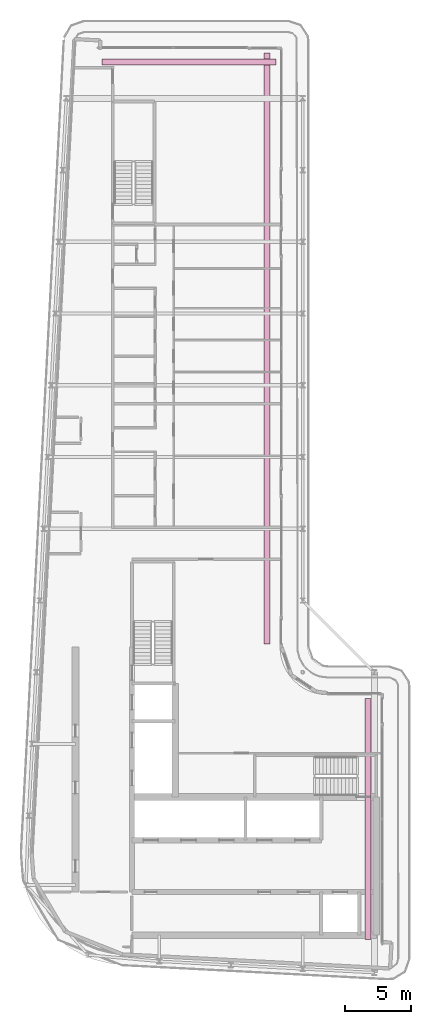
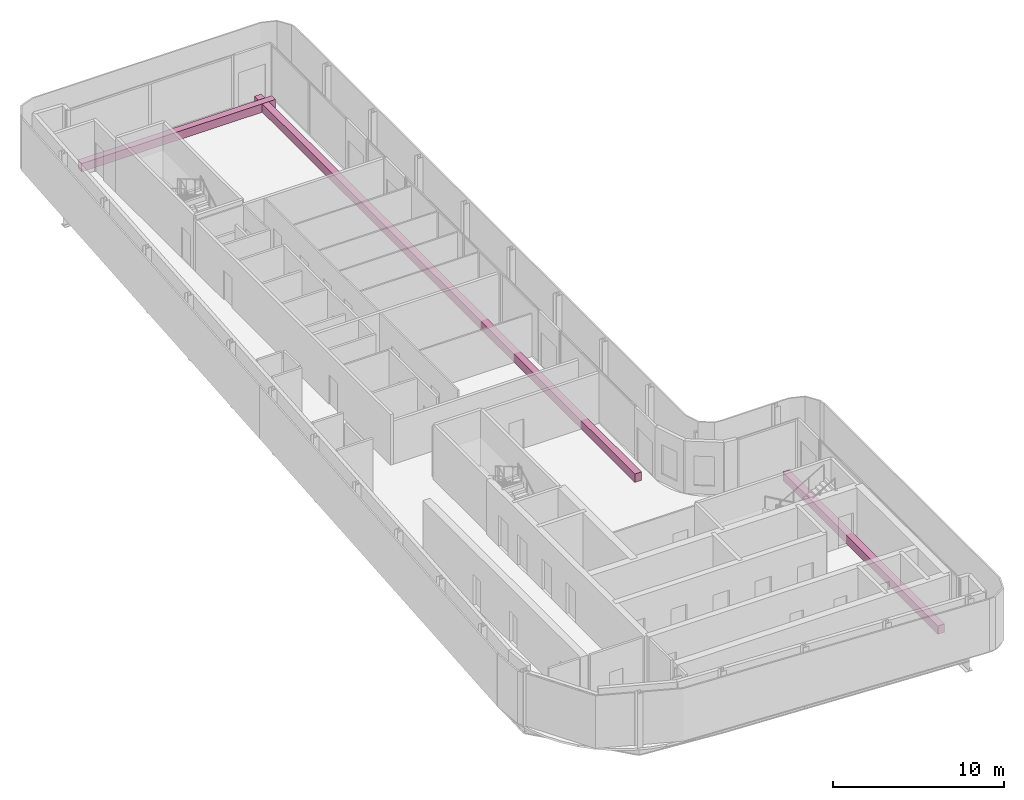
# One storey, part 19 of 19: 3 furniture elements.
"""IFC4 building model written with IfcOpenShell, lengths in metres."""

import ifcopenshell
import ifcopenshell.guid

model = None  # the IFC model being written
_history = None  # IfcOwnerHistory: only IFC2X3 demands one
_inside = {}  # id of a spatial element -> (the spatial element, [elements in it])
_under = {}  # id of a project, library or spatial element -> (it, [spatial elements below it])
_declared = {}  # id of a project -> (the project, [libraries it declares])
_typed = {}  # id of a type object -> (the type object, [elements of that type])
_made_of = {}  # id of a material, layer set ... -> (it, [elements and type objects made of it])


def new_model(schema):
    """Start an empty IFC model of exactly this schema.

    Asked for "IFC4X3", IfcOpenShell would pick the latest addendum, in which some entities
    have other attributes; the version numbers below select the first issue.
    IFC2X3 requires an IfcOwnerHistory on every rooted entity: one is made here for all.
    """
    global model, _history
    if schema == "IFC4X3":
        model = ifcopenshell.file(schema_version=(4, 3, 0, 0))
    else:
        model = ifcopenshell.file(schema=schema)
    _inside.clear()
    _under.clear()
    _declared.clear()
    _typed.clear()
    _made_of.clear()
    _history = None
    if model.schema == "IFC2X3":
        org = make("IfcOrganization", Name="unknown")
        user = make(
            "IfcPersonAndOrganization",
            ThePerson=make("IfcPerson", FamilyName="unknown"),
            TheOrganization=org,
        )
        app = make(
            "IfcApplication",
            ApplicationDeveloper=org,
            Version="unknown",
            ApplicationFullName="unknown",
            ApplicationIdentifier="unknown",
        )
        _history = make(
            "IfcOwnerHistory",
            OwningUser=user,
            OwningApplication=app,
            ChangeAction="ADDED",
            CreationDate=0,
        )
    return model


def make(cls, **values):
    """One entity of the class cls with the attributes given. An attribute that is None is left unset."""
    return model.create_entity(
        cls, **{name: value for name, value in values.items() if value is not None}
    )


def rooted(cls, **values):
    """An entity with a GlobalId (a new one), such as an element, a storey or a relation."""
    return make(cls, GlobalId=ifcopenshell.guid.new(), OwnerHistory=_history, **values)


def si_unit(unit_type, name, prefix=None):
    """IfcSIUnit, for example si_unit("LENGTHUNIT", "METRE", prefix="MILLI")."""
    return make("IfcSIUnit", UnitType=unit_type, Prefix=prefix, Name=name)


def assignment(units):
    """IfcUnitAssignment: the units of a project."""
    return None if units is None else make("IfcUnitAssignment", Units=units)


def point(xyz):
    """IfcCartesianPoint."""
    return None if xyz is None else make("IfcCartesianPoint", Coordinates=xyz)


def direction(xyz):
    """IfcDirection."""
    return None if xyz is None else make("IfcDirection", DirectionRatios=xyz)


def frame(location, z_axis=None, x_axis=None):
    """IfcAxis2Placement3D, a coordinate frame: its origin and axes. An axis left out is left unset."""
    return make(
        "IfcAxis2Placement3D",
        Location=point(location),
        Axis=direction(z_axis),
        RefDirection=direction(x_axis),
    )


def frame_2d(location, x_axis=None):
    """IfcAxis2Placement2D, a coordinate frame in the plane: its origin and x axis."""
    return make(
        "IfcAxis2Placement2D", Location=point(location), RefDirection=direction(x_axis)
    )


def origin():
    """The frame at (0, 0, 0) with its axes left unset."""
    return frame((0.0, 0.0, 0.0))


def origin_2d():
    """The frame at (0, 0) in the plane with its x axis left unset."""
    return frame_2d((0.0, 0.0))


def place(relative_to, where):
    """IfcLocalPlacement: puts the frame where relative to a parent placement (None: the world)."""
    return make(
        "IfcLocalPlacement", PlacementRelTo=relative_to, RelativePlacement=where
    )


def context(
    kind, dimensions, precision=None, world=None, true_north=None, identifier=None
):
    """IfcGeometricRepresentationContext, for example the 3D "Model" context."""
    return make(
        "IfcGeometricRepresentationContext",
        ContextIdentifier=identifier,
        ContextType=kind,
        CoordinateSpaceDimension=dimensions,
        Precision=precision,
        WorldCoordinateSystem=world,
        TrueNorth=true_north,
    )


def subcontext(parent, identifier, kind, view, scale=None):
    """IfcGeometricRepresentationSubContext, for example "Body" below "Model"."""
    return make(
        "IfcGeometricRepresentationSubContext",
        ContextIdentifier=identifier,
        ContextType=kind,
        ParentContext=parent,
        TargetScale=scale,
        TargetView=view,
    )


def project(units=None, contexts=None):
    """IfcProject with its units and contexts."""
    return rooted(
        "IfcProject",
        Name="project",
        RepresentationContexts=contexts,
        UnitsInContext=assignment(units),
    )


def spatial(cls, under=None, at=None, **own):
    """A site, building, storey or space (cls), placed at a placement, below another one or the project."""
    s = rooted(cls, ObjectPlacement=at, **own)
    if under is not None:
        _under.setdefault(under.id(), (under, []))[1].append(s)
    return s


def profile(cls, at=None, kind="AREA", **sizes):
    """A parametric profile (cls). Its sizes go by their IFC names, for example OverallWidth=200.0."""
    return make(cls, ProfileType=kind, Position=at, **sizes)


def rectangle(**sizes):
    """IfcRectangleProfileDef."""
    return profile("IfcRectangleProfileDef", **sizes)


def extrude(swept, where, along, depth):
    """IfcExtrudedAreaSolid: the profile swept, set in the frame where, extruded along a direction by depth."""
    return make(
        "IfcExtrudedAreaSolid",
        SweptArea=swept,
        Position=where,
        ExtrudedDirection=direction(along),
        Depth=depth,
    )


def shape(context_of_items, identifier, shape_type, items):
    """IfcShapeRepresentation: the items that make up one representation, for example the "Body"."""
    return make(
        "IfcShapeRepresentation",
        ContextOfItems=context_of_items,
        RepresentationIdentifier=identifier,
        RepresentationType=shape_type,
        Items=items,
    )


def material(Name=None, Category=None):
    """IfcMaterial."""
    return make("IfcMaterial", Name=Name, Category=Category)


def made_of(thing, what):
    """Note that an element or type object is made of a material, layer set ...; save() writes the relation."""
    if what is not None:
        _made_of.setdefault(what.id(), (what, []))[1].append(thing)
    return thing


def type_object(cls, material=None, **own):
    """A type object (cls), such as IfcWallType, which elements share."""
    return made_of(rooted(cls, **own), material)


def element(
    cls,
    number,
    at=None,
    inside=None,
    cuts=None,
    type_object=None,
    material=None,
    context=None,
    identifier="Body",
    shape_type=None,
    held_by="IfcProductDefinitionShape",
    body=None,
    shapes=None,
    **own,
):
    """One element of the class cls, such as IfcWall. Its Tag is "e" and its number.

    at: its placement. inside: the storey or other place that contains it. cuts: it is an
    opening in that element (IfcRelVoidsElement). A single representation is given by context,
    identifier, shape_type and body (its items); several are given by shapes. held_by: the class
    of the entity that holds the representations. save() writes the other relations.
    """
    e = rooted(cls, Tag="e%d" % number, ObjectPlacement=at, **own)
    if body is not None:
        shapes = [shape(context, identifier, shape_type, body)]
    if shapes is not None:
        e.Representation = make(held_by, Representations=shapes)
    if inside is not None:
        _inside.setdefault(inside.id(), (inside, []))[1].append(e)
    if cuts is not None:
        rooted(
            "IfcRelVoidsElement", RelatingBuildingElement=cuts, RelatedOpeningElement=e
        )
    if type_object is not None:
        _typed.setdefault(type_object.id(), (type_object, []))[1].append(e)
    return made_of(e, material)


def aggregate(whole, parts):
    """IfcRelAggregates: a whole, such as a stair, and the parts it consists of."""
    return rooted("IfcRelAggregates", RelatingObject=whole, RelatedObjects=parts)


def save(model, path):
    """Write the relations noted so far, then the file.

    IfcRelAggregates (storeys below a building ...), IfcRelContainedInSpatialStructure (elements
    in a storey), IfcRelDefinesByType, IfcRelAssociatesMaterial and IfcRelDeclares: one each for
    every whole, place, type object, material and project.
    """
    for whole, parts in _under.values():
        aggregate(whole, parts)
    for where, things in _inside.values():
        rooted(
            "IfcRelContainedInSpatialStructure",
            RelatedElements=things,
            RelatingStructure=where,
        )
    for kind, things in _typed.values():
        rooted("IfcRelDefinesByType", RelatedObjects=things, RelatingType=kind)
    for what, things in _made_of.values():
        rooted("IfcRelAssociatesMaterial", RelatedObjects=things, RelatingMaterial=what)
    for by, libraries in _declared.values():
        rooted("IfcRelDeclares", RelatingContext=by, RelatedDefinitions=libraries)
    model.write(path)


model = new_model("IFC4")

# Units and contexts
model_context = context("Model", 3, precision=1e-05, world=origin(), true_north=direction((0.0, 1.0)))
body_context = subcontext(model_context, "Body", "Model", "MODEL_VIEW")
ifc_project = project(units=[si_unit("LENGTHUNIT", "METRE"), si_unit("AREAUNIT", "SQUARE_METRE"), si_unit("VOLUMEUNIT", "CUBIC_METRE"), si_unit("PLANEANGLEUNIT", "RADIAN"), si_unit("MASSUNIT", "GRAM", prefix="KILO")], contexts=[model_context])

# Site, building, storey
site_placement = place(None, origin())
site = spatial("IfcSite", under=ifc_project, at=site_placement, CompositionType="ELEMENT")
building_placement = place(site_placement, origin())
building = spatial("IfcBuilding", under=site, at=building_placement, Name="Kheshtan School and Residences Tower", CompositionType="ELEMENT")
storey_placement = place(building_placement, frame((0.0, 0.0, 357.800048828125)))
storey = spatial("IfcBuildingStorey", under=building, at=storey_placement, Name="L84", CompositionType="ELEMENT", Elevation=357.800048828125)

# Furniture
ifc_material = material(Name="Precast concrete C30/37 in terracotta finish", Category="masonry")
furniture_type = type_object("IfcFurnitureType", Name="Planter trough", AssemblyPlace="NOTDEFINED", PredefinedType="USERDEFINED", material=ifc_material)
furniture_1_placement = place(storey_placement, frame((39.053955078125, 91.52490234375, 0.0), z_axis=(0.0, 0.0, 1.0), x_axis=(1.0, 0.0, 0.0)))
element("IfcFurniture", 1, at=furniture_1_placement, inside=storey, type_object=furniture_type, Name="Planter L84", ObjectType="PLANTER", PredefinedType="USERDEFINED", context=body_context, shape_type="SweptSolid", body=[
    extrude(rectangle(XDim=13.092041015625, YDim=0.449951171875, at=origin_2d()), origin(), (0.0, 0.0, 1.0), 0.60009765625),
])
furniture_2_placement = place(storey_placement, frame((44.925048828125, 69.965087890625, 0.0), z_axis=(0.0, 0.0, 1.0), x_axis=(0.0, -1.0, 0.0)))
element("IfcFurniture", 2, at=furniture_2_placement, inside=storey, type_object=furniture_type, Name="Planter L84", ObjectType="PLANTER", PredefinedType="USERDEFINED", context=body_context, shape_type="SweptSolid", body=[
    extrude(rectangle(XDim=44.469970703125, YDim=0.449951171875, at=origin_2d()), origin(), (0.0, 0.0, 1.0), 0.60009765625),
])
furniture_3_placement = place(storey_placement, frame((52.52490234375, 34.528076171875, 0.0), z_axis=(0.0, 0.0, 1.0), x_axis=(0.0, -1.0, 0.0)))
element("IfcFurniture", 3, at=furniture_3_placement, inside=storey, type_object=furniture_type, Name="Planter L84", ObjectType="PLANTER", PredefinedType="USERDEFINED", context=body_context, shape_type="SweptSolid", body=[
    extrude(rectangle(XDim=18.14404296875, YDim=0.449951171875, at=origin_2d()), origin(), (0.0, 0.0, 1.0), 0.60009765625),
])

save(model, "model.ifc")
